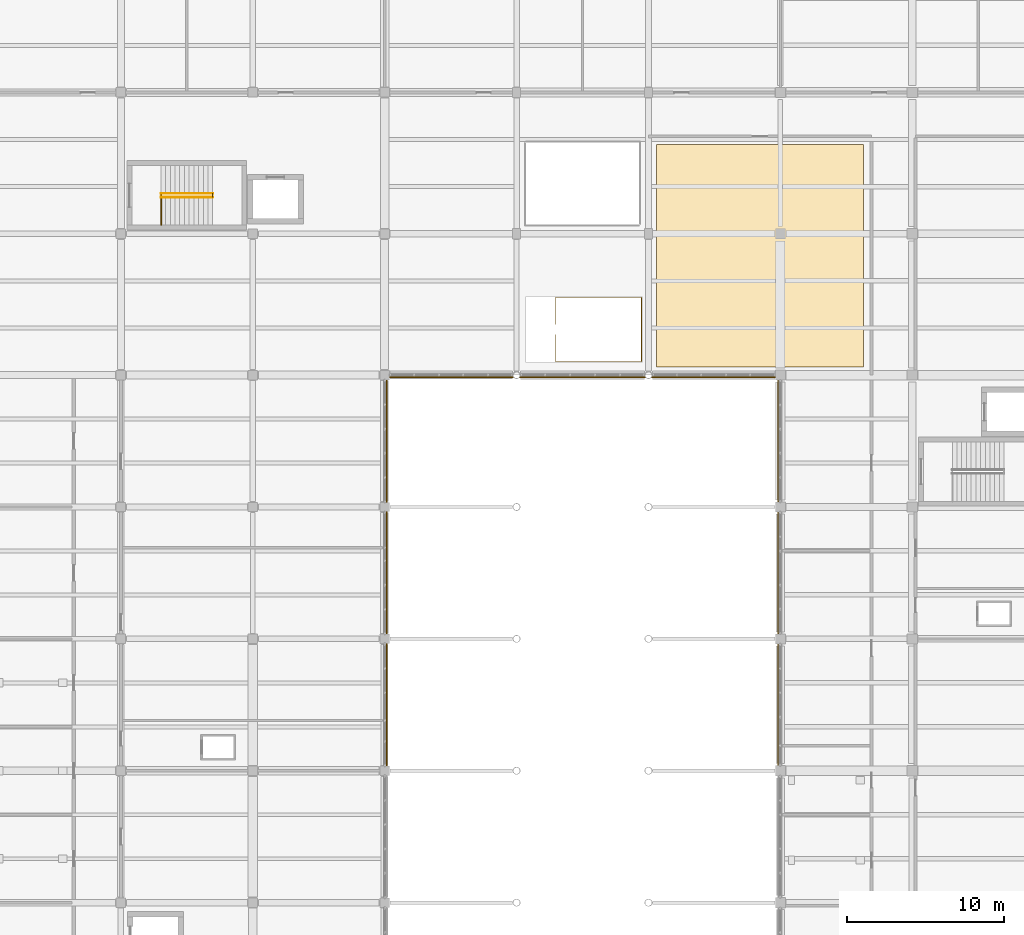
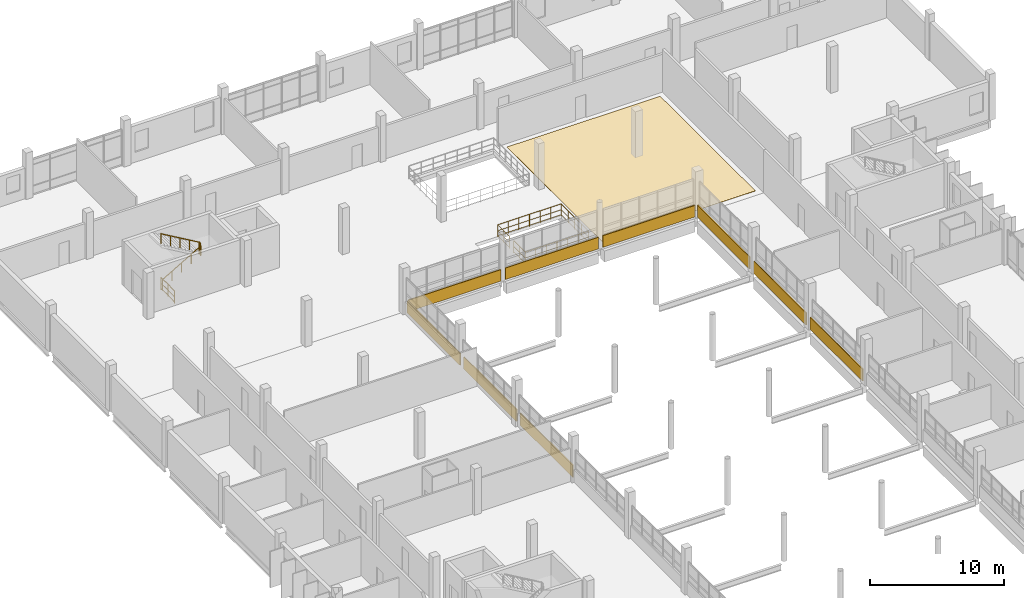
# One storey, part 98 of 101: 10 coverings, 5 railings.
"""IFC4 building model written with IfcOpenShell, lengths in metres."""

from ifc_helpers import new_model, si_unit, direction, frame, origin, origin_2d, place, context, subcontext, project, spatial, polyline, rectangle, circle, outline, extrude, material, layer, layer_set, type_object, element, save


model = new_model("IFC4")

# Units and contexts
model_context = context("Model", 3, precision=1e-05, world=origin(), true_north=direction((0.0, 1.0)))
body_context = subcontext(model_context, "Body", "Model", "MODEL_VIEW")
ifc_project = project(units=[si_unit("LENGTHUNIT", "METRE"), si_unit("AREAUNIT", "SQUARE_METRE"), si_unit("VOLUMEUNIT", "CUBIC_METRE"), si_unit("PLANEANGLEUNIT", "RADIAN"), si_unit("MASSUNIT", "GRAM", prefix="KILO")], contexts=[model_context])

# Site, building, storey
site_placement = place(None, origin())
site = spatial("IfcSite", under=ifc_project, at=site_placement, CompositionType="ELEMENT")
building_placement = place(site_placement, origin())
building = spatial("IfcBuilding", under=site, at=building_placement, Name="Vireocrest Preparatory School", CompositionType="ELEMENT")
storey_placement = place(building_placement, frame((0.0, 0.0, 4.800048828125)))
storey = spatial("IfcBuildingStorey", under=building, at=storey_placement, Name="L01", CompositionType="ELEMENT", Elevation=4.800048828125)

# Railings
ifc_material_1 = material(Name="Brushed stainless steel AISI 316", Category="steel")
railing_type_1 = type_object("IfcRailingType", Name="Post-and-Rail Guard Balustrade 1120", PredefinedType="BALUSTRADE", material=ifc_material_1)
railing_1_placement = place(storey_placement, frame((52.969970703125, 95.35009765625, 0.0)))
element("IfcRailing", 1, at=railing_1_placement, inside=storey, type_object=railing_type_1, Name="Arrival Landing Guard ST3-L00", PredefinedType="BALUSTRADE", context=body_context, shape_type="SweptSolid", body=[
    extrude(circle(Radius=0.02392578125, at=origin_2d()), frame((0.0, 0.0, 1.09619140625), z_axis=(0.0, 1.0, 0.0), x_axis=(-1.0, 0.0, 0.0)), (0.0, 0.0, 1.0), 2.02001953125),
    extrude(circle(Radius=0.01806640625, at=origin_2d()), frame((0.0, 0.0, 0.56005859375), z_axis=(0.0, 1.0, 0.0), x_axis=(-1.0, 0.0, 0.0)), (0.0, 0.0, 1.0), 2.02001953125),
    extrude(circle(Radius=0.01806640625, at=origin_2d()), frame((0.0, 0.0, 0.10009765625), z_axis=(0.0, 1.0, 0.0), x_axis=(-1.0, 0.0, 0.0)), (0.0, 0.0, 1.0), 2.02001953125),
    extrude(circle(Radius=0.02099609375, at=origin_2d()), origin(), (0.0, 0.0, 1.0), 1.072021484375),
    extrude(circle(Radius=0.02099609375, at=origin_2d()), frame((0.0, 1.010009765625, 0.0)), (0.0, 0.0, 1.0), 1.072021484375),
    extrude(circle(Radius=0.02099609375, at=origin_2d()), frame((0.0, 2.02001953125, 0.0)), (0.0, 0.0, 1.0), 1.072021484375),
])
railing_2_placement = place(storey_placement, frame((56.22998046875, 97.1298828125, 2.099853515625)))
element("IfcRailing", 2, at=railing_2_placement, inside=storey, type_object=railing_type_1, Name="Half-Landing Well Guard ST3-L01", PredefinedType="BALUSTRADE", context=body_context, shape_type="SweptSolid", body=[
    extrude(circle(Radius=0.02392578125, at=origin_2d()), frame((0.0, 0.0, 1.09619140625), z_axis=(0.0, 1.0, 0.0), x_axis=(-1.0, 0.0, 0.0)), (0.0, 0.0, 1.0), 0.240234375),
    extrude(circle(Radius=0.01806640625, at=origin_2d()), frame((0.0, 0.0, 0.56005859375), z_axis=(0.0, 1.0, 0.0), x_axis=(-1.0, 0.0, 0.0)), (0.0, 0.0, 1.0), 0.240234375),
    extrude(circle(Radius=0.01806640625, at=origin_2d()), frame((0.0, 0.0, 0.10009765625), z_axis=(0.0, 1.0, 0.0), x_axis=(-1.0, 0.0, 0.0)), (0.0, 0.0, 1.0), 0.240234375),
    extrude(circle(Radius=0.02099609375, at=origin_2d()), origin(), (0.0, 0.0, 1.0), 1.072021484375),
    extrude(circle(Radius=0.02099609375, at=origin_2d()), frame((0.0, 0.240234375, 0.0)), (0.0, 0.0, 1.0), 1.072021484375),
])
railing_3_placement = place(storey_placement, frame((78.10009765625, 89.030029296875, 0.0)))
element("IfcRailing", 3, at=railing_3_placement, inside=storey, type_object=railing_type_1, Name="Top Stairwell Perimeter Guard ST7 L01", PredefinedType="BALUSTRADE", context=body_context, shape_type="SweptSolid", body=[
    extrude(circle(Radius=0.02392578125, at=origin_2d()), frame((0.0, 0.0, 1.09619140625), z_axis=(0.0, 1.0, 0.0), x_axis=(-1.0, 0.0, 0.0)), (0.0, 0.0, 1.0), 1.719970703125),
    extrude(circle(Radius=0.01806640625, at=origin_2d()), frame((0.0, 0.0, 0.56005859375), z_axis=(0.0, 1.0, 0.0), x_axis=(-1.0, 0.0, 0.0)), (0.0, 0.0, 1.0), 1.719970703125),
    extrude(circle(Radius=0.01806640625, at=origin_2d()), frame((0.0, 0.0, 0.10009765625), z_axis=(0.0, 1.0, 0.0), x_axis=(-1.0, 0.0, 0.0)), (0.0, 0.0, 1.0), 1.719970703125),
    extrude(circle(Radius=0.02392578125, at=origin_2d()), frame((0.0, 1.719970703125, 1.09619140625), z_axis=(1.0, 0.0, 0.0), x_axis=(0.0, 1.0, 0.0)), (0.0, 0.0, 1.0), 5.449951171875),
    extrude(circle(Radius=0.01806640625, at=origin_2d()), frame((0.0, 1.719970703125, 0.56005859375), z_axis=(1.0, 0.0, 0.0), x_axis=(0.0, 1.0, 0.0)), (0.0, 0.0, 1.0), 5.449951171875),
    extrude(circle(Radius=0.01806640625, at=origin_2d()), frame((0.0, 1.719970703125, 0.10009765625), z_axis=(1.0, 0.0, 0.0), x_axis=(0.0, 1.0, 0.0)), (0.0, 0.0, 1.0), 5.449951171875),
    extrude(circle(Radius=0.02392578125, at=origin_2d()), frame((5.449951171875, 1.719970703125, 1.09619140625), z_axis=(0.0, -1.0, 0.0), x_axis=(1.0, 0.0, 0.0)), (0.0, 0.0, 1.0), 4.10009765625),
    extrude(circle(Radius=0.01806640625, at=origin_2d()), frame((5.449951171875, 1.719970703125, 0.56005859375), z_axis=(0.0, -1.0, 0.0), x_axis=(1.0, 0.0, 0.0)), (0.0, 0.0, 1.0), 4.10009765625),
    extrude(circle(Radius=0.01806640625, at=origin_2d()), frame((5.449951171875, 1.719970703125, 0.10009765625), z_axis=(0.0, -1.0, 0.0), x_axis=(1.0, 0.0, 0.0)), (0.0, 0.0, 1.0), 4.10009765625),
    extrude(circle(Radius=0.02392578125, at=origin_2d()), frame((5.449951171875, -2.380126953125, 1.09619140625), z_axis=(-1.0, 0.0, 0.0), x_axis=(0.0, -1.0, 0.0)), (0.0, 0.0, 1.0), 5.449951171875),
    extrude(circle(Radius=0.01806640625, at=origin_2d()), frame((5.449951171875, -2.380126953125, 0.56005859375), z_axis=(-1.0, 0.0, 0.0), x_axis=(0.0, -1.0, 0.0)), (0.0, 0.0, 1.0), 5.449951171875),
    extrude(circle(Radius=0.01806640625, at=origin_2d()), frame((5.449951171875, -2.380126953125, 0.10009765625), z_axis=(-1.0, 0.0, 0.0), x_axis=(0.0, -1.0, 0.0)), (0.0, 0.0, 1.0), 5.449951171875),
    extrude(circle(Radius=0.02392578125, at=origin_2d()), frame((0.0, -2.380126953125, 1.09619140625), z_axis=(0.0, 1.0, 0.0), x_axis=(-1.0, 0.0, 0.0)), (0.0, 0.0, 1.0), 1.72021484375),
    extrude(circle(Radius=0.01806640625, at=origin_2d()), frame((0.0, -2.380126953125, 0.56005859375), z_axis=(0.0, 1.0, 0.0), x_axis=(-1.0, 0.0, 0.0)), (0.0, 0.0, 1.0), 1.72021484375),
    extrude(circle(Radius=0.01806640625, at=origin_2d()), frame((0.0, -2.380126953125, 0.10009765625), z_axis=(0.0, 1.0, 0.0), x_axis=(-1.0, 0.0, 0.0)), (0.0, 0.0, 1.0), 1.72021484375),
    extrude(circle(Radius=0.02099609375, at=origin_2d()), origin(), (0.0, 0.0, 1.0), 1.072021484375),
    extrude(circle(Radius=0.02099609375, at=origin_2d()), frame((0.0, 0.85986328125, 0.0)), (0.0, 0.0, 1.0), 1.072021484375),
    extrude(circle(Radius=0.02099609375, at=origin_2d()), frame((0.0, 1.719970703125, 0.0)), (0.0, 0.0, 1.0), 1.072021484375),
    extrude(circle(Radius=0.02099609375, at=origin_2d()), frame((0.908203125, 1.719970703125, 0.0)), (0.0, 0.0, 1.0), 1.072021484375),
    extrude(circle(Radius=0.02099609375, at=origin_2d()), frame((1.816650390625, 1.719970703125, 0.0)), (0.0, 0.0, 1.0), 1.072021484375),
    extrude(circle(Radius=0.02099609375, at=origin_2d()), frame((2.72509765625, 1.719970703125, 0.0)), (0.0, 0.0, 1.0), 1.072021484375),
    extrude(circle(Radius=0.02099609375, at=origin_2d()), frame((3.63330078125, 1.719970703125, 0.0)), (0.0, 0.0, 1.0), 1.072021484375),
    extrude(circle(Radius=0.02099609375, at=origin_2d()), frame((4.54150390625, 1.719970703125, 0.0)), (0.0, 0.0, 1.0), 1.072021484375),
    extrude(circle(Radius=0.02099609375, at=origin_2d()), frame((5.449951171875, 1.719970703125, 0.0)), (0.0, 0.0, 1.0), 1.072021484375),
    extrude(circle(Radius=0.02099609375, at=origin_2d()), frame((5.449951171875, 0.69482421875, 0.0)), (0.0, 0.0, 1.0), 1.072021484375),
    extrude(circle(Radius=0.02099609375, at=origin_2d()), frame((5.449951171875, -0.330078125, 0.0)), (0.0, 0.0, 1.0), 1.072021484375),
    extrude(circle(Radius=0.02099609375, at=origin_2d()), frame((5.449951171875, -1.35498046875, 0.0)), (0.0, 0.0, 1.0), 1.072021484375),
    extrude(circle(Radius=0.02099609375, at=origin_2d()), frame((5.449951171875, -2.380126953125, 0.0)), (0.0, 0.0, 1.0), 1.072021484375),
    extrude(circle(Radius=0.02099609375, at=origin_2d()), frame((4.54150390625, -2.380126953125, 0.0)), (0.0, 0.0, 1.0), 1.072021484375),
    extrude(circle(Radius=0.02099609375, at=origin_2d()), frame((3.63330078125, -2.380126953125, 0.0)), (0.0, 0.0, 1.0), 1.072021484375),
    extrude(circle(Radius=0.02099609375, at=origin_2d()), frame((2.72509765625, -2.380126953125, 0.0)), (0.0, 0.0, 1.0), 1.072021484375),
    extrude(circle(Radius=0.02099609375, at=origin_2d()), frame((1.816650390625, -2.380126953125, 0.0)), (0.0, 0.0, 1.0), 1.072021484375),
    extrude(circle(Radius=0.02099609375, at=origin_2d()), frame((0.908203125, -2.380126953125, 0.0)), (0.0, 0.0, 1.0), 1.072021484375),
    extrude(circle(Radius=0.02099609375, at=origin_2d()), frame((0.0, -2.380126953125, 0.0)), (0.0, 0.0, 1.0), 1.072021484375),
    extrude(circle(Radius=0.02099609375, at=origin_2d()), frame((0.0, -1.52001953125, 0.0)), (0.0, 0.0, 1.0), 1.072021484375),
    extrude(circle(Radius=0.02099609375, at=origin_2d()), frame((0.0, -0.659912109375, 0.0)), (0.0, 0.0, 1.0), 1.072021484375),
])
railing_type_2 = type_object("IfcRailingType", Name="Stair Pitch Handrail 900", PredefinedType="HANDRAIL", material=ifc_material_1)
railing_4_placement = place(storey_placement, frame((52.949951171875, 97.1298828125, 0.175048828125)))
element("IfcRailing", 4, at=railing_4_placement, inside=storey, type_object=railing_type_2, Name="Stair Handrail ST3-L01-HR1", PredefinedType="HANDRAIL", context=body_context, shape_type="SweptSolid", body=[
    extrude(circle(Radius=0.02392578125, at=origin_2d()), frame((0.0, 0.0, 0.8759765625), z_axis=(0.863804395585, 0.0, 0.503827317807), x_axis=(0.0, 1.0, 0.0)), (0.0, 0.0, 1.0), 3.8203125),
    extrude(circle(Radius=0.02099609375, at=origin_2d()), origin(), (0.0, 0.0, 1.0), 0.851806640625),
    extrude(circle(Radius=0.02099609375, at=origin_2d()), frame((0.824951171875, 0.0, 0.481201171875)), (0.0, 0.0, 1.0), 0.851806640625),
    extrude(circle(Radius=0.02099609375, at=origin_2d()), frame((1.64990234375, 0.0, 0.96240234375)), (0.0, 0.0, 1.0), 0.851806640625),
    extrude(circle(Radius=0.02099609375, at=origin_2d()), frame((2.47509765625, 0.0, 1.443603515625)), (0.0, 0.0, 1.0), 0.851806640625),
    extrude(circle(Radius=0.02099609375, at=origin_2d()), frame((3.300048828125, 0.0, 1.9248046875)), (0.0, 0.0, 1.0), 0.851806640625),
])
railing_5_placement = place(storey_placement, frame((56.25, 97.3701171875, 2.27490234375)))
element("IfcRailing", 5, at=railing_5_placement, inside=storey, type_object=railing_type_2, Name="Stair Handrail ST3-L01-HR2", PredefinedType="HANDRAIL", context=body_context, shape_type="SweptSolid", body=[
    extrude(circle(Radius=0.02392578125, at=origin_2d()), frame((0.0, 0.0, 0.8759765625), z_axis=(-0.863776583165, 0.0, 0.503874998761), x_axis=(0.0, -1.0, 0.0)), (0.0, 0.0, 1.0), 3.820556640625),
    extrude(circle(Radius=0.02099609375, at=origin_2d()), origin(), (0.0, 0.0, 1.0), 0.851806640625),
    extrude(circle(Radius=0.02099609375, at=origin_2d()), frame((-0.824951171875, 0.0, 0.481201171875)), (0.0, 0.0, 1.0), 0.851806640625),
    extrude(circle(Radius=0.02099609375, at=origin_2d()), frame((-1.64990234375, 0.0, 0.96240234375)), (0.0, 0.0, 1.0), 0.851806640625),
    extrude(circle(Radius=0.02099609375, at=origin_2d()), frame((-2.47509765625, 0.0, 1.44384765625)), (0.0, 0.0, 1.0), 0.851806640625),
    extrude(circle(Radius=0.02099609375, at=origin_2d()), frame((-3.300048828125, 0.0, 1.925048828125)), (0.0, 0.0, 1.0), 0.851806640625),
])

# Coverings
ifc_material_2 = material(Name="Polished epoxy terrazzo flooring")
ifc_layer_1 = layer(ifc_material_2, 0.02001953125)
ifc_layer_set_1 = layer_set([ifc_layer_1], Name="Polished epoxy terrazzo flooring")
covering_type_1 = type_object("IfcCoveringType", Name="Terrazzo Concourse Flooring", PredefinedType="FLOORING", material=ifc_layer_set_1)
covering_1_placement = place(storey_placement, origin())
element("IfcCovering", 6, at=covering_1_placement, inside=storey, type_object=covering_type_1, Name="Flooring FL1 L01-N1SW01", PredefinedType="FLOORING", context=body_context, shape_type="SweptSolid", body=[
    extrude(outline(polyline([(84.510009765625, 86.31005859375), (97.68994140625, 86.31005859375), (97.68994140625, 100.489990234375), (84.510009765625, 100.489990234375), (84.510009765625, 86.31005859375)])), origin(), (0.0, 0.0, 1.0), 0.02001953125),
])
ifc_material_3 = material(Name="Painted white aluminium cladding EN AW-6063-T6", Category="aluminium")
ifc_layer_2 = layer(ifc_material_3, 0.044921875)
ifc_layer_set_2 = layer_set([ifc_layer_2], Name="Painted white aluminium cladding EN AW-6063-T6")
covering_type_2 = type_object("IfcCoveringType", Name="White High-Tech Horizontal Spandrel Cladding Band", PredefinedType="CLADDING", material=ifc_layer_set_2)
for number, where, z_axis, x_axis, name in (
    (7, (67.3349609375, 64.800048828125, 0.02978515625), (0.0, 0.0, 1.0), (1.0, 0.0, 0.0), "White Court Spandrel Band L01-0208"),
    (8, (67.3349609375, 73.199951171875, 0.02978515625), (0.0, 0.0, 1.0), (1.0, 0.0, 0.0), "White Court Spandrel Band L01-0209"),
    (9, (67.3349609375, 81.60009765625, 0.02978515625), (0.0, 0.0, 1.0), (1.0, 0.0, 0.0), "White Court Spandrel Band L01-0210"),
):
    element("IfcCovering", number, at=place(storey_placement, frame(where, z_axis=z_axis, x_axis=x_axis)), inside=storey, type_object=covering_type_2, Name=name, PredefinedType="CLADDING", context=body_context, shape_type="SweptSolid", body=[
        extrude(rectangle(XDim=0.0849609375, YDim=7.85009765625, at=origin_2d()), origin(), (0.0, 0.0, 1.0), 1.10009765625),
    ])
covering_2_placement = place(storey_placement, frame((71.435791015625, 85.6650390625, 0.02490234375), z_axis=(0.0, 0.0, 1.0), x_axis=(1.0, 0.0, 0.0)))
element("IfcCovering", 10, at=covering_2_placement, inside=storey, type_object=covering_type_2, Name="White Court Band Cladding L01-0211", PredefinedType="CLADDING", context=body_context, shape_type="SweptSolid", body=[
    extrude(rectangle(XDim=7.92138671875, YDim=0.0849609375, at=origin_2d()), origin(), (0.0, 0.0, 1.0), 1.050048828125),
])
covering_3_placement = place(storey_placement, frame((79.800048828125, 85.6650390625, 0.02490234375), z_axis=(0.0, 0.0, 1.0), x_axis=(1.0, 0.0, 0.0)))
element("IfcCovering", 11, at=covering_3_placement, inside=storey, type_object=covering_type_2, Name="White Court Band Cladding L01-0212", PredefinedType="CLADDING", context=body_context, shape_type="SweptSolid", body=[
    extrude(rectangle(XDim=7.992919921875, YDim=0.0849609375, at=origin_2d()), origin(), (0.0, 0.0, 1.0), 1.050048828125),
])
covering_4_placement = place(storey_placement, frame((88.15185546875, 85.6650390625, 0.02490234375), z_axis=(0.0, 0.0, 1.0), x_axis=(1.0, 0.0, 0.0)))
element("IfcCovering", 12, at=covering_4_placement, inside=storey, type_object=covering_type_2, Name="White Court Band Cladding L01-0213", PredefinedType="CLADDING", context=body_context, shape_type="SweptSolid", body=[
    extrude(rectangle(XDim=7.896484375, YDim=0.0849609375, at=origin_2d()), origin(), (0.0, 0.0, 1.0), 1.050048828125),
])
for number, where, z_axis, x_axis, name in (
    (13, (92.264892578125, 64.800048828125, 0.02978515625), (0.0, 0.0, 1.0), (1.0, 0.0, 0.0), "White Court Spandrel Band L01-0218"),
    (14, (92.264892578125, 73.199951171875, 0.02978515625), (0.0, 0.0, 1.0), (1.0, 0.0, 0.0), "White Court Spandrel Band L01-0219"),
    (15, (92.264892578125, 81.60009765625, 0.02978515625), (0.0, 0.0, 1.0), (1.0, 0.0, 0.0), "White Court Spandrel Band L01-0220"),
):
    element("IfcCovering", number, at=place(storey_placement, frame(where, z_axis=z_axis, x_axis=x_axis)), inside=storey, type_object=covering_type_2, Name=name, PredefinedType="CLADDING", context=body_context, shape_type="SweptSolid", body=[
        extrude(rectangle(XDim=0.0849609375, YDim=7.800048828125, at=origin_2d()), origin(), (0.0, 0.0, 1.0), 1.10009765625),
    ])

save(model, "model.ifc")
